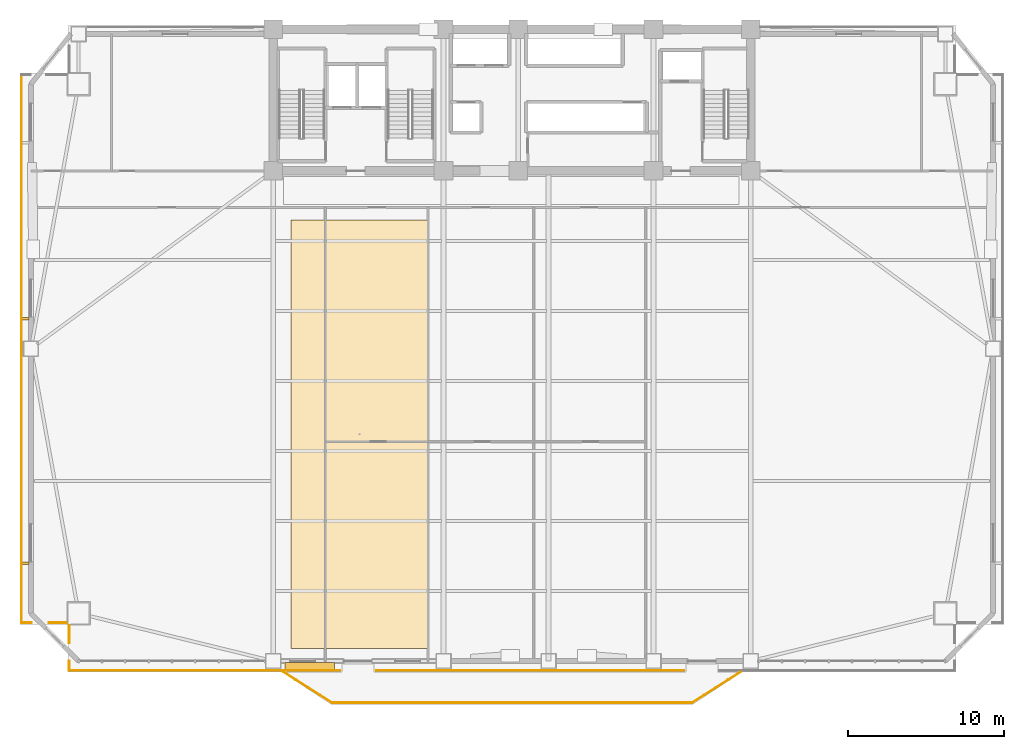
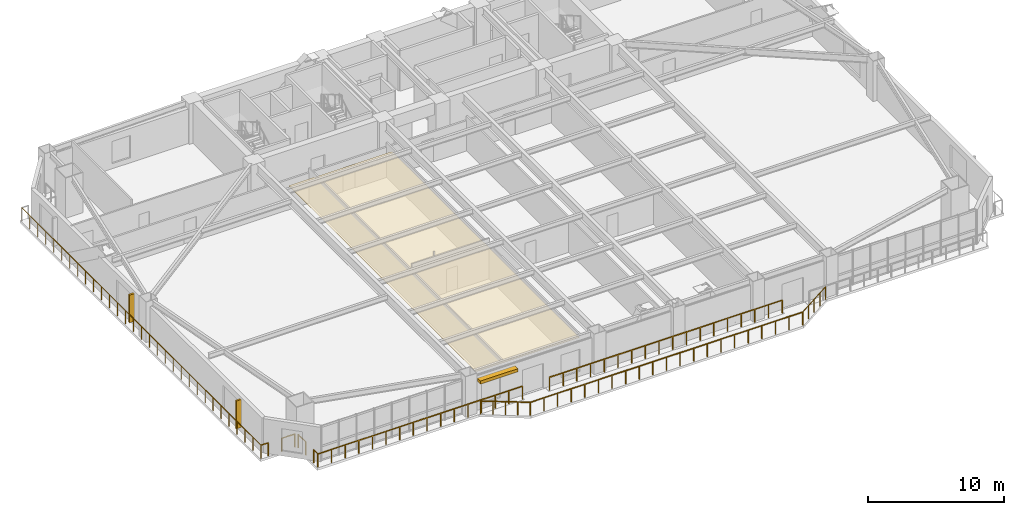
# One storey, part 12 of 16: 10 railings, 3 shading devices, 1 covering.
"""IFC4 building model written with IfcOpenShell, lengths in metres."""

import ifcopenshell
import ifcopenshell.guid

model = None  # the IFC model being written
_history = None  # IfcOwnerHistory: only IFC2X3 demands one
_inside = {}  # id of a spatial element -> (the spatial element, [elements in it])
_under = {}  # id of a project, library or spatial element -> (it, [spatial elements below it])
_declared = {}  # id of a project -> (the project, [libraries it declares])
_typed = {}  # id of a type object -> (the type object, [elements of that type])
_made_of = {}  # id of a material, layer set ... -> (it, [elements and type objects made of it])


def new_model(schema):
    """Start an empty IFC model of exactly this schema.

    Asked for "IFC4X3", IfcOpenShell would pick the latest addendum, in which some entities
    have other attributes; the version numbers below select the first issue.
    IFC2X3 requires an IfcOwnerHistory on every rooted entity: one is made here for all.
    """
    global model, _history
    if schema == "IFC4X3":
        model = ifcopenshell.file(schema_version=(4, 3, 0, 0))
    else:
        model = ifcopenshell.file(schema=schema)
    _inside.clear()
    _under.clear()
    _declared.clear()
    _typed.clear()
    _made_of.clear()
    _history = None
    if model.schema == "IFC2X3":
        org = make("IfcOrganization", Name="unknown")
        user = make(
            "IfcPersonAndOrganization",
            ThePerson=make("IfcPerson", FamilyName="unknown"),
            TheOrganization=org,
        )
        app = make(
            "IfcApplication",
            ApplicationDeveloper=org,
            Version="unknown",
            ApplicationFullName="unknown",
            ApplicationIdentifier="unknown",
        )
        _history = make(
            "IfcOwnerHistory",
            OwningUser=user,
            OwningApplication=app,
            ChangeAction="ADDED",
            CreationDate=0,
        )
    return model


def make(cls, **values):
    """One entity of the class cls with the attributes given. An attribute that is None is left unset."""
    return model.create_entity(
        cls, **{name: value for name, value in values.items() if value is not None}
    )


def rooted(cls, **values):
    """An entity with a GlobalId (a new one), such as an element, a storey or a relation."""
    return make(cls, GlobalId=ifcopenshell.guid.new(), OwnerHistory=_history, **values)


def si_unit(unit_type, name, prefix=None):
    """IfcSIUnit, for example si_unit("LENGTHUNIT", "METRE", prefix="MILLI")."""
    return make("IfcSIUnit", UnitType=unit_type, Prefix=prefix, Name=name)


def assignment(units):
    """IfcUnitAssignment: the units of a project."""
    return None if units is None else make("IfcUnitAssignment", Units=units)


def point(xyz):
    """IfcCartesianPoint."""
    return None if xyz is None else make("IfcCartesianPoint", Coordinates=xyz)


def direction(xyz):
    """IfcDirection."""
    return None if xyz is None else make("IfcDirection", DirectionRatios=xyz)


def frame(location, z_axis=None, x_axis=None):
    """IfcAxis2Placement3D, a coordinate frame: its origin and axes. An axis left out is left unset."""
    return make(
        "IfcAxis2Placement3D",
        Location=point(location),
        Axis=direction(z_axis),
        RefDirection=direction(x_axis),
    )


def frame_2d(location, x_axis=None):
    """IfcAxis2Placement2D, a coordinate frame in the plane: its origin and x axis."""
    return make(
        "IfcAxis2Placement2D", Location=point(location), RefDirection=direction(x_axis)
    )


def origin():
    """The frame at (0, 0, 0) with its axes left unset."""
    return frame((0.0, 0.0, 0.0))


def origin_2d():
    """The frame at (0, 0) in the plane with its x axis left unset."""
    return frame_2d((0.0, 0.0))


def place(relative_to, where):
    """IfcLocalPlacement: puts the frame where relative to a parent placement (None: the world)."""
    return make(
        "IfcLocalPlacement", PlacementRelTo=relative_to, RelativePlacement=where
    )


def context(
    kind, dimensions, precision=None, world=None, true_north=None, identifier=None
):
    """IfcGeometricRepresentationContext, for example the 3D "Model" context."""
    return make(
        "IfcGeometricRepresentationContext",
        ContextIdentifier=identifier,
        ContextType=kind,
        CoordinateSpaceDimension=dimensions,
        Precision=precision,
        WorldCoordinateSystem=world,
        TrueNorth=true_north,
    )


def subcontext(parent, identifier, kind, view, scale=None):
    """IfcGeometricRepresentationSubContext, for example "Body" below "Model"."""
    return make(
        "IfcGeometricRepresentationSubContext",
        ContextIdentifier=identifier,
        ContextType=kind,
        ParentContext=parent,
        TargetScale=scale,
        TargetView=view,
    )


def project(units=None, contexts=None):
    """IfcProject with its units and contexts."""
    return rooted(
        "IfcProject",
        Name="project",
        RepresentationContexts=contexts,
        UnitsInContext=assignment(units),
    )


def spatial(cls, under=None, at=None, **own):
    """A site, building, storey or space (cls), placed at a placement, below another one or the project."""
    s = rooted(cls, ObjectPlacement=at, **own)
    if under is not None:
        _under.setdefault(under.id(), (under, []))[1].append(s)
    return s


def polyline(points):
    """IfcPolyline through the points."""
    return make("IfcPolyline", Points=[point(p) for p in points])


def profile(cls, at=None, kind="AREA", **sizes):
    """A parametric profile (cls). Its sizes go by their IFC names, for example OverallWidth=200.0."""
    return make(cls, ProfileType=kind, Position=at, **sizes)


def rectangle(**sizes):
    """IfcRectangleProfileDef."""
    return profile("IfcRectangleProfileDef", **sizes)


def outline(outer, holes=None, kind="AREA"):
    """IfcArbitraryClosedProfileDef: a profile drawn as a closed curve; with holes, ...WithVoids."""
    if holes is None:
        return make("IfcArbitraryClosedProfileDef", ProfileType=kind, OuterCurve=outer)
    return make(
        "IfcArbitraryProfileDefWithVoids",
        ProfileType=kind,
        OuterCurve=outer,
        InnerCurves=holes,
    )


def extrude(swept, where, along, depth):
    """IfcExtrudedAreaSolid: the profile swept, set in the frame where, extruded along a direction by depth."""
    return make(
        "IfcExtrudedAreaSolid",
        SweptArea=swept,
        Position=where,
        ExtrudedDirection=direction(along),
        Depth=depth,
    )


def shape(context_of_items, identifier, shape_type, items):
    """IfcShapeRepresentation: the items that make up one representation, for example the "Body"."""
    return make(
        "IfcShapeRepresentation",
        ContextOfItems=context_of_items,
        RepresentationIdentifier=identifier,
        RepresentationType=shape_type,
        Items=items,
    )


def source(mapping_origin, context_of_items, identifier, shape_type, items):
    """IfcRepresentationMap: a shape defined once, which mapped items show again and again."""
    return make(
        "IfcRepresentationMap",
        MappingOrigin=mapping_origin,
        MappedRepresentation=shape(context_of_items, identifier, shape_type, items),
    )


def transform(
    local_origin,
    x_axis=None,
    y_axis=None,
    z_axis=None,
    scale=None,
    scale2=None,
    scale3=None,
    uniform=True,
):
    """IfcCartesianTransformationOperator3D, or its non-uniform kind. x_axis, y_axis, z_axis: its Axis1, 2, 3."""
    if uniform:
        return make(
            "IfcCartesianTransformationOperator3D",
            Axis1=direction(x_axis),
            Axis2=direction(y_axis),
            LocalOrigin=point(local_origin),
            Scale=scale,
            Axis3=direction(z_axis),
        )
    return make(
        "IfcCartesianTransformationOperator3DnonUniform",
        Axis1=direction(x_axis),
        Axis2=direction(y_axis),
        LocalOrigin=point(local_origin),
        Scale=scale,
        Axis3=direction(z_axis),
        Scale2=scale2,
        Scale3=scale3,
    )


def mapped(mapping_source, mapping_target):
    """IfcMappedItem: shows the shape of a source again, moved by a transform."""
    return make(
        "IfcMappedItem", MappingSource=mapping_source, MappingTarget=mapping_target
    )


def material(Name=None, Category=None):
    """IfcMaterial."""
    return make("IfcMaterial", Name=Name, Category=Category)


def layer(
    of_material, thickness, ventilated=None, Name=None, Category=None, Priority=None
):
    """IfcMaterialLayer: one layer of a wall or slab, of a material (None: an air gap)."""
    return make(
        "IfcMaterialLayer",
        Material=of_material,
        LayerThickness=thickness,
        IsVentilated=ventilated,
        Name=Name,
        Category=Category,
        Priority=Priority,
    )


def layer_set(layers, Name=None):
    """IfcMaterialLayerSet."""
    return make("IfcMaterialLayerSet", MaterialLayers=layers, LayerSetName=Name)


def made_of(thing, what):
    """Note that an element or type object is made of a material, layer set ...; save() writes the relation."""
    if what is not None:
        _made_of.setdefault(what.id(), (what, []))[1].append(thing)
    return thing


def type_object(cls, material=None, **own):
    """A type object (cls), such as IfcWallType, which elements share."""
    return made_of(rooted(cls, **own), material)


def element(
    cls,
    number,
    at=None,
    inside=None,
    cuts=None,
    type_object=None,
    material=None,
    context=None,
    identifier="Body",
    shape_type=None,
    held_by="IfcProductDefinitionShape",
    body=None,
    shapes=None,
    **own,
):
    """One element of the class cls, such as IfcWall. Its Tag is "e" and its number.

    at: its placement. inside: the storey or other place that contains it. cuts: it is an
    opening in that element (IfcRelVoidsElement). A single representation is given by context,
    identifier, shape_type and body (its items); several are given by shapes. held_by: the class
    of the entity that holds the representations. save() writes the other relations.
    """
    e = rooted(cls, Tag="e%d" % number, ObjectPlacement=at, **own)
    if body is not None:
        shapes = [shape(context, identifier, shape_type, body)]
    if shapes is not None:
        e.Representation = make(held_by, Representations=shapes)
    if inside is not None:
        _inside.setdefault(inside.id(), (inside, []))[1].append(e)
    if cuts is not None:
        rooted(
            "IfcRelVoidsElement", RelatingBuildingElement=cuts, RelatedOpeningElement=e
        )
    if type_object is not None:
        _typed.setdefault(type_object.id(), (type_object, []))[1].append(e)
    return made_of(e, material)


def aggregate(whole, parts):
    """IfcRelAggregates: a whole, such as a stair, and the parts it consists of."""
    return rooted("IfcRelAggregates", RelatingObject=whole, RelatedObjects=parts)


def save(model, path):
    """Write the relations noted so far, then the file.

    IfcRelAggregates (storeys below a building ...), IfcRelContainedInSpatialStructure (elements
    in a storey), IfcRelDefinesByType, IfcRelAssociatesMaterial and IfcRelDeclares: one each for
    every whole, place, type object, material and project.
    """
    for whole, parts in _under.values():
        aggregate(whole, parts)
    for where, things in _inside.values():
        rooted(
            "IfcRelContainedInSpatialStructure",
            RelatedElements=things,
            RelatingStructure=where,
        )
    for kind, things in _typed.values():
        rooted("IfcRelDefinesByType", RelatedObjects=things, RelatingType=kind)
    for what, things in _made_of.values():
        rooted("IfcRelAssociatesMaterial", RelatedObjects=things, RelatingMaterial=what)
    for by, libraries in _declared.values():
        rooted("IfcRelDeclares", RelatingContext=by, RelatedDefinitions=libraries)
    model.write(path)


model = new_model("IFC4")

# Units and contexts
model_context = context("Model", 3, precision=1e-05, world=origin(), true_north=direction((0.0, 1.0)))
body_context = subcontext(model_context, "Body", "Model", "MODEL_VIEW")
ifc_project = project(units=[si_unit("LENGTHUNIT", "METRE"), si_unit("AREAUNIT", "SQUARE_METRE"), si_unit("VOLUMEUNIT", "CUBIC_METRE"), si_unit("PLANEANGLEUNIT", "RADIAN"), si_unit("MASSUNIT", "GRAM", prefix="KILO")], contexts=[model_context])

# Site, building, storey
site_placement = place(None, origin())
site = spatial("IfcSite", under=ifc_project, at=site_placement, CompositionType="ELEMENT")
building_placement = place(site_placement, origin())
building = spatial("IfcBuilding", under=site, at=building_placement, Name="Giltprow Tower", CompositionType="ELEMENT")
storey_placement = place(building_placement, frame((0.0, 0.0, 91.300048828125)))
storey = spatial("IfcBuildingStorey", under=building, at=storey_placement, Name="L22", CompositionType="ELEMENT", Elevation=91.300048828125)

# Covering
ifc_material_1 = material(Name="Acoustic mineral fibre", Category="gypsum")
ifc_layer = layer(ifc_material_1, 0.030029296875, Name="Acoustic mineral fibre")
ifc_layer_set = layer_set([ifc_layer], Name="Acoustic mineral fibre")
covering_type = type_object("IfcCoveringType", Name="COV-CLG-ACOUSTIC", PredefinedType="CEILING", material=ifc_layer_set)
covering_placement = place(storey_placement, frame((0.0, 0.0, 2.719970703125)))
element("IfcCovering", 1, at=covering_placement, inside=storey, type_object=covering_type, Name="L22 Office Acoustic Ceiling", PredefinedType="CEILING", context=body_context, shape_type="SweptSolid", body=[
    extrude(outline(polyline([(21.0, 6.736083984375), (29.800048828125, 6.736083984375), (29.800048828125, 34.300048828125), (21.0, 34.300048828125), (21.0, 6.736083984375)])), origin(), (0.0, 0.0, 1.0), 0.030029296875),
])

# Railings
ifc_material_2 = material(Name="Anodized bronze", Category="metal")
railing_type = type_object("IfcRailingType", Name="RAIL-BALC-GUARD-1200", PredefinedType="BALUSTRADE", material=ifc_material_2)
railing_1_placement = place(storey_placement, frame((20.52001953125, 5.236083984375, 0.0)))
element("IfcRailing", 2, at=railing_1_placement, inside=storey, type_object=railing_type, Name="L22 Waterfront Balcony Balustrade Seg 1", PredefinedType="BALUSTRADE", context=body_context, shape_type="SweptSolid", body=[
    extrude(rectangle(XDim=0.048095703125, YDim=0.048095703125, at=origin_2d()), frame((0.0, 0.0, 1.17578125), z_axis=(0.84277487735, -0.538266203757, 0.0), x_axis=(0.538266203757, 0.84277487735, 0.0)), (0.0, 0.0, 1.0), 3.678466796875),
    extrude(rectangle(XDim=0.0419921875, YDim=0.0419921875, at=origin_2d()), origin(), (0.0, 0.0, 1.0), 1.15185546875),
    extrude(rectangle(XDim=0.0419921875, YDim=0.0419921875, at=origin_2d()), frame((0.77490234375, -0.4951171875, 0.0)), (0.0, 0.0, 1.0), 1.15185546875),
    extrude(rectangle(XDim=0.0419921875, YDim=0.0419921875, at=origin_2d()), frame((1.550048828125, -0.989990234375, 0.0)), (0.0, 0.0, 1.0), 1.15185546875),
    extrude(rectangle(XDim=0.0419921875, YDim=0.0419921875, at=origin_2d()), frame((2.3251953125, -1.48486328125, 0.0)), (0.0, 0.0, 1.0), 1.15185546875),
    extrude(rectangle(XDim=0.0419921875, YDim=0.0419921875, at=origin_2d()), frame((3.10009765625, -1.97998046875, 0.0)), (0.0, 0.0, 1.0), 1.15185546875),
])
railing_2_placement = place(storey_placement, frame((23.6201171875, 3.256103515625, 0.0)))
element("IfcRailing", 3, at=railing_2_placement, inside=storey, type_object=railing_type, Name="L22 Waterfront Balcony Balustrade Seg 2", PredefinedType="BALUSTRADE", context=body_context, shape_type="SweptSolid", body=[
    extrude(rectangle(XDim=0.048095703125, YDim=0.048095703125, at=origin_2d()), frame((0.0, 0.0, 1.17578125), z_axis=(1.0, 0.0, 0.0), x_axis=(0.0, 1.0, 0.0)), (0.0, 0.0, 1.0), 23.159912109375),
    extrude(rectangle(XDim=0.0419921875, YDim=0.0419921875, at=origin_2d()), origin(), (0.0, 0.0, 1.0), 1.15185546875),
    extrude(rectangle(XDim=0.0419921875, YDim=0.0419921875, at=origin_2d()), frame((1.157958984375, 0.0, 0.0)), (0.0, 0.0, 1.0), 1.15185546875),
    extrude(rectangle(XDim=0.0419921875, YDim=0.0419921875, at=origin_2d()), frame((2.31591796875, 0.0, 0.0)), (0.0, 0.0, 1.0), 1.15185546875),
    extrude(rectangle(XDim=0.0419921875, YDim=0.0419921875, at=origin_2d()), frame((3.473876953125, 0.0, 0.0)), (0.0, 0.0, 1.0), 1.15185546875),
    extrude(rectangle(XDim=0.0419921875, YDim=0.0419921875, at=origin_2d()), frame((4.632080078125, 0.0, 0.0)), (0.0, 0.0, 1.0), 1.15185546875),
    extrude(rectangle(XDim=0.0419921875, YDim=0.0419921875, at=origin_2d()), frame((5.7900390625, 0.0, 0.0)), (0.0, 0.0, 1.0), 1.15185546875),
    extrude(rectangle(XDim=0.0419921875, YDim=0.0419921875, at=origin_2d()), frame((6.947998046875, 0.0, 0.0)), (0.0, 0.0, 1.0), 1.15185546875),
    extrude(rectangle(XDim=0.0419921875, YDim=0.0419921875, at=origin_2d()), frame((8.10595703125, 0.0, 0.0)), (0.0, 0.0, 1.0), 1.15185546875),
    extrude(rectangle(XDim=0.0419921875, YDim=0.0419921875, at=origin_2d()), frame((9.263916015625, 0.0, 0.0)), (0.0, 0.0, 1.0), 1.15185546875),
    extrude(rectangle(XDim=0.0419921875, YDim=0.0419921875, at=origin_2d()), frame((10.421875, 0.0, 0.0)), (0.0, 0.0, 1.0), 1.15185546875),
    extrude(rectangle(XDim=0.0419921875, YDim=0.0419921875, at=origin_2d()), frame((11.580078125, 0.0, 0.0)), (0.0, 0.0, 1.0), 1.15185546875),
    extrude(rectangle(XDim=0.0419921875, YDim=0.0419921875, at=origin_2d()), frame((12.738037109375, 0.0, 0.0)), (0.0, 0.0, 1.0), 1.15185546875),
    extrude(rectangle(XDim=0.0419921875, YDim=0.0419921875, at=origin_2d()), frame((13.89599609375, 0.0, 0.0)), (0.0, 0.0, 1.0), 1.15185546875),
    extrude(rectangle(XDim=0.0419921875, YDim=0.0419921875, at=origin_2d()), frame((15.053955078125, 0.0, 0.0)), (0.0, 0.0, 1.0), 1.15185546875),
    extrude(rectangle(XDim=0.0419921875, YDim=0.0419921875, at=origin_2d()), frame((16.2119140625, 0.0, 0.0)), (0.0, 0.0, 1.0), 1.15185546875),
    extrude(rectangle(XDim=0.0419921875, YDim=0.0419921875, at=origin_2d()), frame((17.369873046875, 0.0, 0.0)), (0.0, 0.0, 1.0), 1.15185546875),
    extrude(rectangle(XDim=0.0419921875, YDim=0.0419921875, at=origin_2d()), frame((18.52783203125, 0.0, 0.0)), (0.0, 0.0, 1.0), 1.15185546875),
    extrude(rectangle(XDim=0.0419921875, YDim=0.0419921875, at=origin_2d()), frame((19.68603515625, 0.0, 0.0)), (0.0, 0.0, 1.0), 1.15185546875),
    extrude(rectangle(XDim=0.0419921875, YDim=0.0419921875, at=origin_2d()), frame((20.843994140625, 0.0, 0.0)), (0.0, 0.0, 1.0), 1.15185546875),
    extrude(rectangle(XDim=0.0419921875, YDim=0.0419921875, at=origin_2d()), frame((22.001953125, 0.0, 0.0)), (0.0, 0.0, 1.0), 1.15185546875),
    extrude(rectangle(XDim=0.0419921875, YDim=0.0419921875, at=origin_2d()), frame((23.159912109375, 0.0, 0.0)), (0.0, 0.0, 1.0), 1.15185546875),
])
railing_3_placement = place(storey_placement, frame((46.780029296875, 3.256103515625, 0.0)))
element("IfcRailing", 4, at=railing_3_placement, inside=storey, type_object=railing_type, Name="L22 Waterfront Balcony Balustrade Seg 3", PredefinedType="BALUSTRADE", context=body_context, shape_type="SweptSolid", body=[
    extrude(rectangle(XDim=0.048095703125, YDim=0.048095703125, at=origin_2d()), frame((0.0, 0.0, 1.17578125), z_axis=(0.842755646126, 0.538296313309, 0.0), x_axis=(-0.538296313309, 0.842755646126, 0.0)), (0.0, 0.0, 1.0), 3.67822265625),
    extrude(rectangle(XDim=0.0419921875, YDim=0.0419921875, at=origin_2d()), origin(), (0.0, 0.0, 1.0), 1.15185546875),
    extrude(rectangle(XDim=0.0419921875, YDim=0.0419921875, at=origin_2d()), frame((0.77490234375, 0.4951171875, 0.0)), (0.0, 0.0, 1.0), 1.15185546875),
    extrude(rectangle(XDim=0.0419921875, YDim=0.0419921875, at=origin_2d()), frame((1.5498046875, 0.989990234375, 0.0)), (0.0, 0.0, 1.0), 1.15185546875),
    extrude(rectangle(XDim=0.0419921875, YDim=0.0419921875, at=origin_2d()), frame((2.324951171875, 1.48486328125, 0.0)), (0.0, 0.0, 1.0), 1.15185546875),
    extrude(rectangle(XDim=0.0419921875, YDim=0.0419921875, at=origin_2d()), frame((3.099853515625, 1.97998046875, 0.0)), (0.0, 0.0, 1.0), 1.15185546875),
])
railing_4_placement = place(storey_placement, frame((6.7451171875, 5.3359375, 0.0)))
element("IfcRailing", 5, at=railing_4_placement, inside=storey, type_object=railing_type, Name="L22 Corner Apron Edge Balustrade 1", PredefinedType="BALUSTRADE", context=body_context, shape_type="SweptSolid", body=[
    extrude(rectangle(XDim=0.048095703125, YDim=0.048095703125, at=origin_2d()), frame((0.0, 0.0, 1.17578125), z_axis=(0.0, 1.0, 0.0), x_axis=(-1.0, 0.0, 0.0)), (0.0, 0.0, 1.0), 0.6201171875),
    extrude(rectangle(XDim=0.0419921875, YDim=0.0419921875, at=origin_2d()), origin(), (0.0, 0.0, 1.0), 1.15185546875),
    extrude(rectangle(XDim=0.0419921875, YDim=0.0419921875, at=origin_2d()), frame((0.0, 0.6201171875, 0.0)), (0.0, 0.0, 1.0), 1.15185546875),
])
railing_5_placement = place(storey_placement, frame((6.7451171875, 7.115966796875, 0.0)))
element("IfcRailing", 6, at=railing_5_placement, inside=storey, type_object=railing_type, Name="L22 Corner Apron Edge Balustrade 2", PredefinedType="BALUSTRADE", context=body_context, shape_type="SweptSolid", body=[
    extrude(rectangle(XDim=0.048095703125, YDim=0.048095703125, at=origin_2d()), frame((0.0, 0.0, 1.17578125), z_axis=(0.0, 1.0, 0.0), x_axis=(-1.0, 0.0, 0.0)), (0.0, 0.0, 1.0), 1.10498046875),
    extrude(rectangle(XDim=0.0419921875, YDim=0.0419921875, at=origin_2d()), origin(), (0.0, 0.0, 1.0), 1.15185546875),
    extrude(rectangle(XDim=0.0419921875, YDim=0.0419921875, at=origin_2d()), frame((0.0, 1.10498046875, 0.0)), (0.0, 0.0, 1.0), 1.15185546875),
])
railing_6_placement = place(storey_placement, frame((6.56005859375, 8.406005859375, 0.0)))
element("IfcRailing", 7, at=railing_6_placement, inside=storey, type_object=railing_type, Name="L22 Corner Apron Edge Balustrade 3", PredefinedType="BALUSTRADE", context=body_context, shape_type="SweptSolid", body=[
    extrude(rectangle(XDim=0.048095703125, YDim=0.048095703125, at=origin_2d()), frame((0.0, 0.0, 1.17578125), z_axis=(-1.0, 0.0, 0.0), x_axis=(0.0, -1.0, 0.0)), (0.0, 0.0, 1.0), 1.10498046875),
    extrude(rectangle(XDim=0.0419921875, YDim=0.0419921875, at=origin_2d()), origin(), (0.0, 0.0, 1.0), 1.15185546875),
    extrude(rectangle(XDim=0.0419921875, YDim=0.0419921875, at=origin_2d()), frame((-1.10498046875, 0.0, 0.0)), (0.0, 0.0, 1.0), 1.15185546875),
])
railing_7_placement = place(storey_placement, frame((4.294921875, 8.406005859375, 0.0)))
element("IfcRailing", 8, at=railing_7_placement, inside=storey, type_object=railing_type, Name="L22 Corner Apron Edge Balustrade 4", PredefinedType="BALUSTRADE", context=body_context, shape_type="SweptSolid", body=[
    extrude(rectangle(XDim=0.048095703125, YDim=0.048095703125, at=origin_2d()), frame((0.0, 0.0, 1.17578125), z_axis=(-1.0, 0.0, 0.0), x_axis=(0.0, -1.0, 0.0)), (0.0, 0.0, 1.0), 0.619873046875),
    extrude(rectangle(XDim=0.0419921875, YDim=0.0419921875, at=origin_2d()), origin(), (0.0, 0.0, 1.0), 1.15185546875),
    extrude(rectangle(XDim=0.0419921875, YDim=0.0419921875, at=origin_2d()), frame((-0.619873046875, 0.0, 0.0)), (0.0, 0.0, 1.0), 1.15185546875),
])
railing_8_placement = place(storey_placement, frame((3.675048828125, 8.406005859375, 0.0)))
element("IfcRailing", 9, at=railing_8_placement, inside=storey, type_object=railing_type, Name="L22 Corner Apron Edge Balustrade 5", PredefinedType="BALUSTRADE", context=body_context, shape_type="SweptSolid", body=[
    extrude(rectangle(XDim=0.048095703125, YDim=0.048095703125, at=origin_2d()), frame((0.0, 0.0, 1.17578125), z_axis=(0.0, 1.0, 0.0), x_axis=(-1.0, 0.0, 0.0)), (0.0, 0.0, 1.0), 35.223876953125),
    extrude(rectangle(XDim=0.0419921875, YDim=0.0419921875, at=origin_2d()), origin(), (0.0, 0.0, 1.0), 1.15185546875),
    extrude(rectangle(XDim=0.0419921875, YDim=0.0419921875, at=origin_2d()), frame((0.0, 1.174072265625, 0.0)), (0.0, 0.0, 1.0), 1.15185546875),
    extrude(rectangle(XDim=0.0419921875, YDim=0.0419921875, at=origin_2d()), frame((0.0, 2.34814453125, 0.0)), (0.0, 0.0, 1.0), 1.15185546875),
    extrude(rectangle(XDim=0.0419921875, YDim=0.0419921875, at=origin_2d()), frame((0.0, 3.5224609375, 0.0)), (0.0, 0.0, 1.0), 1.15185546875),
    extrude(rectangle(XDim=0.0419921875, YDim=0.0419921875, at=origin_2d()), frame((0.0, 4.696533203125, 0.0)), (0.0, 0.0, 1.0), 1.15185546875),
    extrude(rectangle(XDim=0.0419921875, YDim=0.0419921875, at=origin_2d()), frame((0.0, 5.87060546875, 0.0)), (0.0, 0.0, 1.0), 1.15185546875),
    extrude(rectangle(XDim=0.0419921875, YDim=0.0419921875, at=origin_2d()), frame((0.0, 7.044677734375, 0.0)), (0.0, 0.0, 1.0), 1.15185546875),
    extrude(rectangle(XDim=0.0419921875, YDim=0.0419921875, at=origin_2d()), frame((0.0, 8.218994140625, 0.0)), (0.0, 0.0, 1.0), 1.15185546875),
    extrude(rectangle(XDim=0.0419921875, YDim=0.0419921875, at=origin_2d()), frame((0.0, 9.39306640625, 0.0)), (0.0, 0.0, 1.0), 1.15185546875),
    extrude(rectangle(XDim=0.0419921875, YDim=0.0419921875, at=origin_2d()), frame((0.0, 10.567138671875, 0.0)), (0.0, 0.0, 1.0), 1.15185546875),
    extrude(rectangle(XDim=0.0419921875, YDim=0.0419921875, at=origin_2d()), frame((0.0, 11.7412109375, 0.0)), (0.0, 0.0, 1.0), 1.15185546875),
    extrude(rectangle(XDim=0.0419921875, YDim=0.0419921875, at=origin_2d()), frame((0.0, 12.91552734375, 0.0)), (0.0, 0.0, 1.0), 1.15185546875),
    extrude(rectangle(XDim=0.0419921875, YDim=0.0419921875, at=origin_2d()), frame((0.0, 14.089599609375, 0.0)), (0.0, 0.0, 1.0), 1.15185546875),
    extrude(rectangle(XDim=0.0419921875, YDim=0.0419921875, at=origin_2d()), frame((0.0, 15.263671875, 0.0)), (0.0, 0.0, 1.0), 1.15185546875),
    extrude(rectangle(XDim=0.0419921875, YDim=0.0419921875, at=origin_2d()), frame((0.0, 16.437744140625, 0.0)), (0.0, 0.0, 1.0), 1.15185546875),
    extrude(rectangle(XDim=0.0419921875, YDim=0.0419921875, at=origin_2d()), frame((0.0, 17.61181640625, 0.0)), (0.0, 0.0, 1.0), 1.15185546875),
    extrude(rectangle(XDim=0.0419921875, YDim=0.0419921875, at=origin_2d()), frame((0.0, 18.7861328125, 0.0)), (0.0, 0.0, 1.0), 1.15185546875),
    extrude(rectangle(XDim=0.0419921875, YDim=0.0419921875, at=origin_2d()), frame((0.0, 19.960205078125, 0.0)), (0.0, 0.0, 1.0), 1.15185546875),
    extrude(rectangle(XDim=0.0419921875, YDim=0.0419921875, at=origin_2d()), frame((0.0, 21.13427734375, 0.0)), (0.0, 0.0, 1.0), 1.15185546875),
    extrude(rectangle(XDim=0.0419921875, YDim=0.0419921875, at=origin_2d()), frame((0.0, 22.308349609375, 0.0)), (0.0, 0.0, 1.0), 1.15185546875),
    extrude(rectangle(XDim=0.0419921875, YDim=0.0419921875, at=origin_2d()), frame((0.0, 23.482666015625, 0.0)), (0.0, 0.0, 1.0), 1.15185546875),
    extrude(rectangle(XDim=0.0419921875, YDim=0.0419921875, at=origin_2d()), frame((0.0, 24.65673828125, 0.0)), (0.0, 0.0, 1.0), 1.15185546875),
    extrude(rectangle(XDim=0.0419921875, YDim=0.0419921875, at=origin_2d()), frame((0.0, 25.830810546875, 0.0)), (0.0, 0.0, 1.0), 1.15185546875),
    extrude(rectangle(XDim=0.0419921875, YDim=0.0419921875, at=origin_2d()), frame((0.0, 27.0048828125, 0.0)), (0.0, 0.0, 1.0), 1.15185546875),
    extrude(rectangle(XDim=0.0419921875, YDim=0.0419921875, at=origin_2d()), frame((0.0, 28.17919921875, 0.0)), (0.0, 0.0, 1.0), 1.15185546875),
    extrude(rectangle(XDim=0.0419921875, YDim=0.0419921875, at=origin_2d()), frame((0.0, 29.353271484375, 0.0)), (0.0, 0.0, 1.0), 1.15185546875),
    extrude(rectangle(XDim=0.0419921875, YDim=0.0419921875, at=origin_2d()), frame((0.0, 30.52734375, 0.0)), (0.0, 0.0, 1.0), 1.15185546875),
    extrude(rectangle(XDim=0.0419921875, YDim=0.0419921875, at=origin_2d()), frame((0.0, 31.701416015625, 0.0)), (0.0, 0.0, 1.0), 1.15185546875),
    extrude(rectangle(XDim=0.0419921875, YDim=0.0419921875, at=origin_2d()), frame((0.0, 32.875732421875, 0.0)), (0.0, 0.0, 1.0), 1.15185546875),
    extrude(rectangle(XDim=0.0419921875, YDim=0.0419921875, at=origin_2d()), frame((0.0, 34.0498046875, 0.0)), (0.0, 0.0, 1.0), 1.15185546875),
    extrude(rectangle(XDim=0.0419921875, YDim=0.0419921875, at=origin_2d()), frame((0.0, 35.223876953125, 0.0)), (0.0, 0.0, 1.0), 1.15185546875),
])
railing_9_placement = place(storey_placement, frame((46.25, 5.3359375, 0.0)))
element("IfcRailing", 10, at=railing_9_placement, inside=storey, type_object=railing_type, Name="L22 Corner Apron Edge Balustrade 20", PredefinedType="BALUSTRADE", context=body_context, shape_type="SweptSolid", body=[
    extrude(rectangle(XDim=0.048095703125, YDim=0.048095703125, at=origin_2d()), frame((0.0, 0.0, 1.17578125), z_axis=(-1.0, 0.0, 0.0), x_axis=(0.0, -1.0, 0.0)), (0.0, 0.0, 1.0), 19.800048828125),
    extrude(rectangle(XDim=0.0419921875, YDim=0.0419921875, at=origin_2d()), origin(), (0.0, 0.0, 1.0), 1.15185546875),
    extrude(rectangle(XDim=0.0419921875, YDim=0.0419921875, at=origin_2d()), frame((-1.164794921875, 0.0, 0.0)), (0.0, 0.0, 1.0), 1.15185546875),
    extrude(rectangle(XDim=0.0419921875, YDim=0.0419921875, at=origin_2d()), frame((-2.329345703125, 0.0, 0.0)), (0.0, 0.0, 1.0), 1.15185546875),
    extrude(rectangle(XDim=0.0419921875, YDim=0.0419921875, at=origin_2d()), frame((-3.494140625, 0.0, 0.0)), (0.0, 0.0, 1.0), 1.15185546875),
    extrude(rectangle(XDim=0.0419921875, YDim=0.0419921875, at=origin_2d()), frame((-4.658935546875, 0.0, 0.0)), (0.0, 0.0, 1.0), 1.15185546875),
    extrude(rectangle(XDim=0.0419921875, YDim=0.0419921875, at=origin_2d()), frame((-5.823486328125, 0.0, 0.0)), (0.0, 0.0, 1.0), 1.15185546875),
    extrude(rectangle(XDim=0.0419921875, YDim=0.0419921875, at=origin_2d()), frame((-6.98828125, 0.0, 0.0)), (0.0, 0.0, 1.0), 1.15185546875),
    extrude(rectangle(XDim=0.0419921875, YDim=0.0419921875, at=origin_2d()), frame((-8.153076171875, 0.0, 0.0)), (0.0, 0.0, 1.0), 1.15185546875),
    extrude(rectangle(XDim=0.0419921875, YDim=0.0419921875, at=origin_2d()), frame((-9.317626953125, 0.0, 0.0)), (0.0, 0.0, 1.0), 1.15185546875),
    extrude(rectangle(XDim=0.0419921875, YDim=0.0419921875, at=origin_2d()), frame((-10.482421875, 0.0, 0.0)), (0.0, 0.0, 1.0), 1.15185546875),
    extrude(rectangle(XDim=0.0419921875, YDim=0.0419921875, at=origin_2d()), frame((-11.64697265625, 0.0, 0.0)), (0.0, 0.0, 1.0), 1.15185546875),
    extrude(rectangle(XDim=0.0419921875, YDim=0.0419921875, at=origin_2d()), frame((-12.811767578125, 0.0, 0.0)), (0.0, 0.0, 1.0), 1.15185546875),
    extrude(rectangle(XDim=0.0419921875, YDim=0.0419921875, at=origin_2d()), frame((-13.9765625, 0.0, 0.0)), (0.0, 0.0, 1.0), 1.15185546875),
    extrude(rectangle(XDim=0.0419921875, YDim=0.0419921875, at=origin_2d()), frame((-15.14111328125, 0.0, 0.0)), (0.0, 0.0, 1.0), 1.15185546875),
    extrude(rectangle(XDim=0.0419921875, YDim=0.0419921875, at=origin_2d()), frame((-16.305908203125, 0.0, 0.0)), (0.0, 0.0, 1.0), 1.15185546875),
    extrude(rectangle(XDim=0.0419921875, YDim=0.0419921875, at=origin_2d()), frame((-17.470703125, 0.0, 0.0)), (0.0, 0.0, 1.0), 1.15185546875),
    extrude(rectangle(XDim=0.0419921875, YDim=0.0419921875, at=origin_2d()), frame((-18.63525390625, 0.0, 0.0)), (0.0, 0.0, 1.0), 1.15185546875),
    extrude(rectangle(XDim=0.0419921875, YDim=0.0419921875, at=origin_2d()), frame((-19.800048828125, 0.0, 0.0)), (0.0, 0.0, 1.0), 1.15185546875),
])
railing_10_placement = place(storey_placement, frame((24.14990234375, 5.3359375, 0.0)))
element("IfcRailing", 11, at=railing_10_placement, inside=storey, type_object=railing_type, Name="L22 Corner Apron Edge Balustrade 21", PredefinedType="BALUSTRADE", context=body_context, shape_type="SweptSolid", body=[
    extrude(rectangle(XDim=0.048095703125, YDim=0.048095703125, at=origin_2d()), frame((0.0, 0.0, 1.17578125), z_axis=(-1.0, 0.0, 0.0), x_axis=(0.0, -1.0, 0.0)), (0.0, 0.0, 1.0), 17.40478515625),
    extrude(rectangle(XDim=0.0419921875, YDim=0.0419921875, at=origin_2d()), origin(), (0.0, 0.0, 1.0), 1.15185546875),
    extrude(rectangle(XDim=0.0419921875, YDim=0.0419921875, at=origin_2d()), frame((-1.160400390625, 0.0, 0.0)), (0.0, 0.0, 1.0), 1.15185546875),
    extrude(rectangle(XDim=0.0419921875, YDim=0.0419921875, at=origin_2d()), frame((-2.320556640625, 0.0, 0.0)), (0.0, 0.0, 1.0), 1.15185546875),
    extrude(rectangle(XDim=0.0419921875, YDim=0.0419921875, at=origin_2d()), frame((-3.48095703125, 0.0, 0.0)), (0.0, 0.0, 1.0), 1.15185546875),
    extrude(rectangle(XDim=0.0419921875, YDim=0.0419921875, at=origin_2d()), frame((-4.641357421875, 0.0, 0.0)), (0.0, 0.0, 1.0), 1.15185546875),
    extrude(rectangle(XDim=0.0419921875, YDim=0.0419921875, at=origin_2d()), frame((-5.801513671875, 0.0, 0.0)), (0.0, 0.0, 1.0), 1.15185546875),
    extrude(rectangle(XDim=0.0419921875, YDim=0.0419921875, at=origin_2d()), frame((-6.9619140625, 0.0, 0.0)), (0.0, 0.0, 1.0), 1.15185546875),
    extrude(rectangle(XDim=0.0419921875, YDim=0.0419921875, at=origin_2d()), frame((-8.122314453125, 0.0, 0.0)), (0.0, 0.0, 1.0), 1.15185546875),
    extrude(rectangle(XDim=0.0419921875, YDim=0.0419921875, at=origin_2d()), frame((-9.282470703125, 0.0, 0.0)), (0.0, 0.0, 1.0), 1.15185546875),
    extrude(rectangle(XDim=0.0419921875, YDim=0.0419921875, at=origin_2d()), frame((-10.44287109375, 0.0, 0.0)), (0.0, 0.0, 1.0), 1.15185546875),
    extrude(rectangle(XDim=0.0419921875, YDim=0.0419921875, at=origin_2d()), frame((-11.603271484375, 0.0, 0.0)), (0.0, 0.0, 1.0), 1.15185546875),
    extrude(rectangle(XDim=0.0419921875, YDim=0.0419921875, at=origin_2d()), frame((-12.763427734375, 0.0, 0.0)), (0.0, 0.0, 1.0), 1.15185546875),
    extrude(rectangle(XDim=0.0419921875, YDim=0.0419921875, at=origin_2d()), frame((-13.923828125, 0.0, 0.0)), (0.0, 0.0, 1.0), 1.15185546875),
    extrude(rectangle(XDim=0.0419921875, YDim=0.0419921875, at=origin_2d()), frame((-15.084228515625, 0.0, 0.0)), (0.0, 0.0, 1.0), 1.15185546875),
    extrude(rectangle(XDim=0.0419921875, YDim=0.0419921875, at=origin_2d()), frame((-16.244384765625, 0.0, 0.0)), (0.0, 0.0, 1.0), 1.15185546875),
    extrude(rectangle(XDim=0.0419921875, YDim=0.0419921875, at=origin_2d()), frame((-17.40478515625, 0.0, 0.0)), (0.0, 0.0, 1.0), 1.15185546875),
])

# Shading devices
shading_device_type_1 = type_object("IfcShadingDeviceType", Name="SHD-FIN-420", PredefinedType="USERDEFINED", material=ifc_material_2)
shared_shape_1 = source(origin(), body_context, "Body", "SweptSolid", [
    extrude(rectangle(XDim=0.419921875, YDim=0.159912109375, at=origin_2d()), origin(), (0.0, 0.0, 1.0), 2.5),
])
for number, where, z_axis, x_axis, name in (
    (12, (3.955078125, 12.218994140625, 0.349853515625), (0.0, 0.0, 1.0), (1.0, 0.0, 0.0), "L22 W Bronze Vertical Fin 1-1"),
    (13, (3.955078125, 27.943115234375, 0.349853515625), (0.0, 0.0, 1.0), (1.0, 0.0, 0.0), "L22 W Bronze Vertical Fin 2-1"),
):
    element("IfcShadingDevice", number, at=place(storey_placement, frame(where, z_axis=z_axis, x_axis=x_axis)), inside=storey, type_object=shading_device_type_1, Name=name, ObjectType="FIN", PredefinedType="USERDEFINED", context=body_context, shape_type="MappedRepresentation", body=[
        mapped(shared_shape_1, transform((0.0, 0.0, 0.0), x_axis=(1.0, 0.0, 0.0), y_axis=(0.0, 1.0, 0.0), z_axis=(0.0, 0.0, 1.0), scale=1.0)),
    ])
shading_device_type_2 = type_object("IfcShadingDeviceType", Name="SHD-LOUVRE-320", PredefinedType="JALOUSIE", material=ifc_material_2)
shared_shape_2 = source(origin(), body_context, "Body", "SweptSolid", [
    extrude(rectangle(XDim=3.199951171875, YDim=0.449951171875, at=origin_2d()), origin(), (0.0, 0.0, 1.0), 0.280029296875),
])
shading_device_placement = place(storey_placement, frame((22.199951171875, 5.615966796875, 2.56005859375), z_axis=(0.0, 0.0, 1.0), x_axis=(1.0, 0.0, 0.0)))
element("IfcShadingDevice", 14, at=shading_device_placement, inside=storey, type_object=shading_device_type_2, Name="L22 Bronze Sunshade Louvre S-2", PredefinedType="JALOUSIE", context=body_context, shape_type="MappedRepresentation", body=[
    mapped(shared_shape_2, transform((0.0, 0.0, 0.0), x_axis=(1.0, 0.0, 0.0), y_axis=(0.0, 1.0, 0.0), z_axis=(0.0, 0.0, 1.0), scale=1.0)),
])

save(model, "model.ifc")
